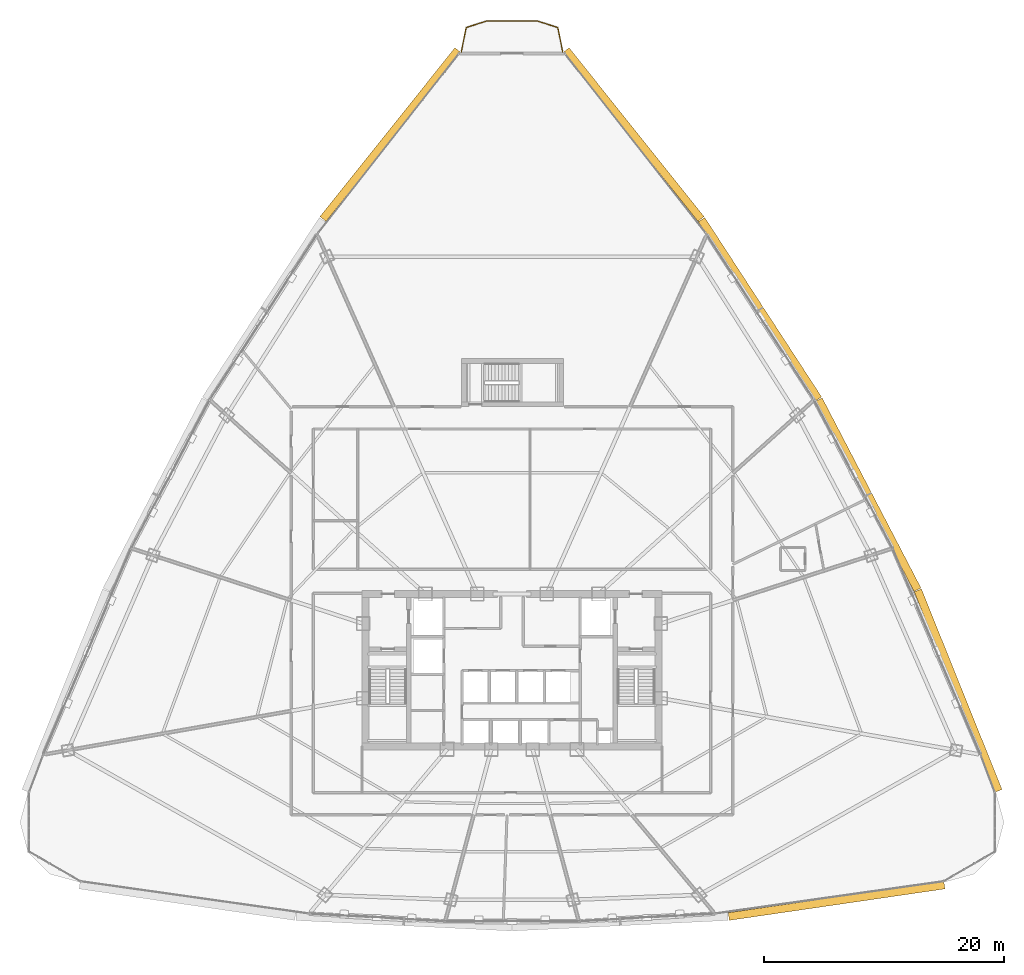
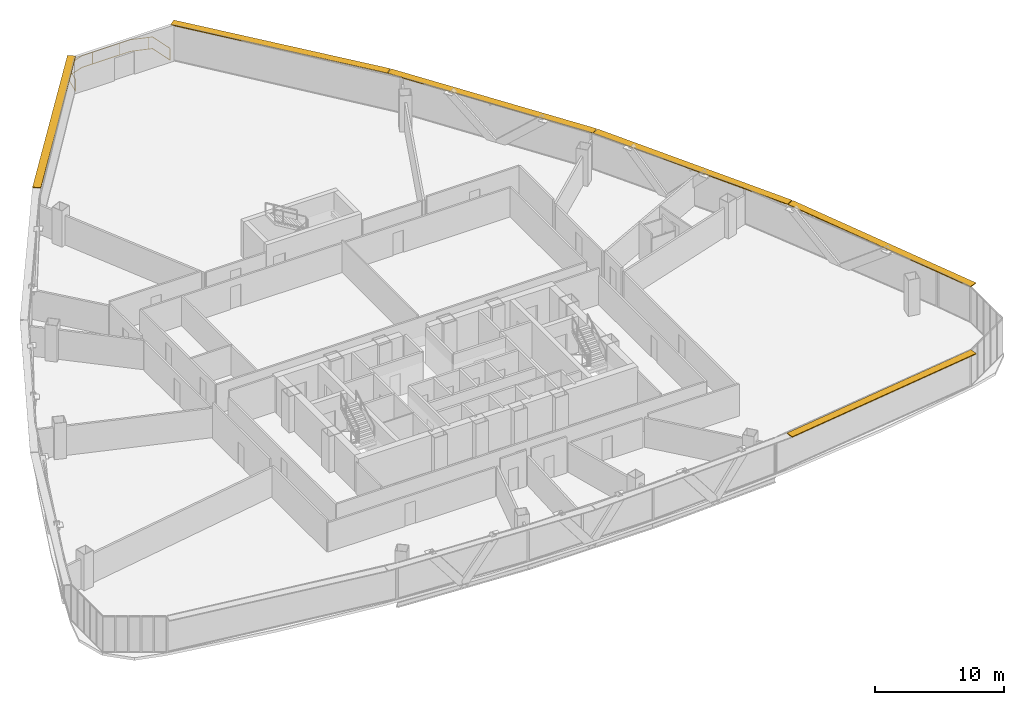
# One storey, part 42 of 42: 6 shading devices, 1 railing.
"""IFC4 building model written with IfcOpenShell, lengths in metres."""

from ifc_helpers import new_model, si_unit, direction, frame, origin, origin_2d, place, context, subcontext, project, spatial, rectangle, extrude, source, transform, mapped, material, layer, layer_set, type_object, element, save


model = new_model("IFC4")

# Units and contexts
model_context = context("Model", 3, precision=1e-05, world=origin(), true_north=direction((0.0, 1.0)))
body_context = subcontext(model_context, "Body", "Model", "MODEL_VIEW")
ifc_project = project(units=[si_unit("LENGTHUNIT", "METRE"), si_unit("AREAUNIT", "SQUARE_METRE"), si_unit("VOLUMEUNIT", "CUBIC_METRE"), si_unit("PLANEANGLEUNIT", "RADIAN"), si_unit("MASSUNIT", "GRAM", prefix="KILO"), si_unit("THERMODYNAMICTEMPERATUREUNIT", "KELVIN"), si_unit("POWERUNIT", "WATT")], contexts=[model_context])

# Site, building, storey
site_placement = place(None, origin())
site = spatial("IfcSite", under=ifc_project, at=site_placement, CompositionType="ELEMENT")
building_placement = place(site_placement, origin())
building = spatial("IfcBuilding", under=site, at=building_placement, Name="Yunzhuo Pagoda Commons", CompositionType="ELEMENT")
storey_placement = place(building_placement, frame((0.0, 0.0, 137.18994140625)))
storey = spatial("IfcBuildingStorey", under=building, at=storey_placement, Name="L34", CompositionType="ELEMENT", Elevation=137.18994140625)

# Railing
ifc_material = material(Name="Anodized aluminium 6063-T6", Category="aluminium")
railing_type = type_object("IfcRailingType", Name="RL-BAL1 Exterior Terrace & Balcony Balustrade 1150", PredefinedType="BALUSTRADE", material=ifc_material)
railing_placement = place(storey_placement, frame((52.22119140625, 85.37353515625, 0.0)))
element("IfcRailing", 1, at=railing_placement, inside=storey, type_object=railing_type, Name="L34 corner balcony balustrade V3", PredefinedType="BALUSTRADE", context=body_context, shape_type="SweptSolid", body=[
    extrude(rectangle(XDim=0.048095703125, YDim=0.048095703125, at=origin_2d()), frame((0.0, 0.0, 1.1259765625), z_axis=(-0.194200568098, 0.980961843983, 0.0), x_axis=(-0.980961843983, -0.194200568098, 0.0)), (0.0, 0.0, 1.0), 2.059326171875),
    extrude(rectangle(XDim=0.048095703125, YDim=0.048095703125, at=origin_2d()), frame((0.0, 0.0, 0.02392578125), z_axis=(-0.194200568098, 0.980961843983, 0.0), x_axis=(-0.980961843983, -0.194200568098, 0.0)), (0.0, 0.0, 1.0), 2.059326171875),
    extrude(rectangle(XDim=0.048095703125, YDim=0.048095703125, at=origin_2d()), frame((-0.39990234375, 2.02001953125, 1.1259765625), z_axis=(-0.953179725889, 0.302404381836, 0.0), x_axis=(-0.302404381836, -0.953179725889, 0.0)), (0.0, 0.0, 1.0), 1.752685546875),
    extrude(rectangle(XDim=0.048095703125, YDim=0.048095703125, at=origin_2d()), frame((-0.39990234375, 2.02001953125, 0.02392578125), z_axis=(-0.953179725889, 0.302404381836, 0.0), x_axis=(-0.302404381836, -0.953179725889, 0.0)), (0.0, 0.0, 1.0), 1.752685546875),
    extrude(rectangle(XDim=0.048095703125, YDim=0.048095703125, at=origin_2d()), frame((-2.070556640625, 2.550048828125, 1.1259765625), z_axis=(-1.0, 0.0, 0.0), x_axis=(0.0, -1.0, 0.0)), (0.0, 0.0, 1.0), 4.30126953125),
    extrude(rectangle(XDim=0.048095703125, YDim=0.048095703125, at=origin_2d()), frame((-2.070556640625, 2.550048828125, 0.02392578125), z_axis=(-1.0, 0.0, 0.0), x_axis=(0.0, -1.0, 0.0)), (0.0, 0.0, 1.0), 4.30126953125),
    extrude(rectangle(XDim=0.048095703125, YDim=0.048095703125, at=origin_2d()), frame((-6.371826171875, 2.550048828125, 1.1259765625), z_axis=(-0.953179725889, -0.302404381836, 0.0), x_axis=(0.302404381836, -0.953179725889, 0.0)), (0.0, 0.0, 1.0), 1.752685546875),
    extrude(rectangle(XDim=0.048095703125, YDim=0.048095703125, at=origin_2d()), frame((-6.371826171875, 2.550048828125, 0.02392578125), z_axis=(-0.953179725889, -0.302404381836, 0.0), x_axis=(0.302404381836, -0.953179725889, 0.0)), (0.0, 0.0, 1.0), 1.752685546875),
    extrude(rectangle(XDim=0.048095703125, YDim=0.048095703125, at=origin_2d()), frame((-8.04248046875, 2.02001953125, 1.1259765625), z_axis=(-0.194200568098, -0.980961843983, 0.0), x_axis=(0.980961843983, -0.194200568098, 0.0)), (0.0, 0.0, 1.0), 2.059326171875),
    extrude(rectangle(XDim=0.048095703125, YDim=0.048095703125, at=origin_2d()), frame((-8.04248046875, 2.02001953125, 0.02392578125), z_axis=(-0.194200568098, -0.980961843983, 0.0), x_axis=(0.980961843983, -0.194200568098, 0.0)), (0.0, 0.0, 1.0), 2.059326171875),
    extrude(rectangle(XDim=0.0419921875, YDim=0.0419921875, at=origin_2d()), origin(), (0.0, 0.0, 1.0), 1.101806640625),
    extrude(rectangle(XDim=0.0419921875, YDim=0.0419921875, at=origin_2d()), frame((-0.724609375, 2.123046875, 0.0)), (0.0, 0.0, 1.0), 1.101806640625),
    extrude(rectangle(XDim=0.0419921875, YDim=0.0419921875, at=origin_2d()), frame((-3.05859375, 2.550048828125, 0.0)), (0.0, 0.0, 1.0), 1.101806640625),
    extrude(rectangle(XDim=0.0419921875, YDim=0.0419921875, at=origin_2d()), frame((-5.45849609375, 2.550048828125, 0.0)), (0.0, 0.0, 1.0), 1.101806640625),
    extrude(rectangle(XDim=0.0419921875, YDim=0.0419921875, at=origin_2d()), frame((-7.7890625, 2.100341796875, 0.0)), (0.0, 0.0, 1.0), 1.101806640625),
    extrude(rectangle(XDim=0.0419921875, YDim=0.0419921875, at=origin_2d()), frame((-8.4423828125, 0.0, 0.0)), (0.0, 0.0, 1.0), 1.101806640625),
])

# Shading devices
ifc_layer = layer(ifc_material, 0.080078125)
ifc_layer_set = layer_set([ifc_layer], Name="Anodized aluminium 6063-T6")
shading_device_type = type_object("IfcShadingDeviceType", Name="SH-SUN1 Pagoda Horizontal Sunshade Eave 650", PredefinedType="USERDEFINED", material=ifc_layer_set)
shared_shape_1 = source(origin(), body_context, "Body", "SweptSolid", [
    extrude(rectangle(XDim=18.156982421875, YDim=0.64990234375, at=origin_2d()), origin(), (0.0, 0.0, 1.0), 0.080078125),
])
shading_device_placement = place(storey_placement, frame((75.043701171875, 14.6376953125, 3.340087890625), z_axis=(0.0, 0.0, 1.0), x_axis=(0.989510666697, 0.144459823108, 0.0)))
element("IfcShadingDevice", 2, at=shading_device_placement, inside=storey, type_object=shading_device_type, Name="L34 horizontal pagoda sunshade eave F1.4", ObjectType="SUNSHADE", PredefinedType="USERDEFINED", context=body_context, shape_type="MappedRepresentation", body=[
    mapped(shared_shape_1, transform((0.0, 0.0, 0.0), scale=1.0)),
])
shared_shape_2 = source(origin(), body_context, "Body", "SweptSolid", [
    extrude(rectangle(XDim=18.010986328125, YDim=0.64990234375, at=origin_2d()), origin(), (0.0, 0.0, 1.0), 0.080078125),
])
for number, where, z_axis, x_axis, name in (
    (3, (85.169677734375, 32.144775390625, 3.340087890625), (0.0, 0.0, 1.0), (-0.372987782576, 0.927836253899, 0.0), "L34 horizontal pagoda sunshade eave F2.1"),
    (4, (58.125244140625, 78.474365234375, 3.340087890625), (0.0, 0.0, 1.0), (-0.624520471688, 0.781008438138, 0.0), "L34 horizontal pagoda sunshade eave F2.4"),
    (5, (37.874755859375, 78.474365234375, 3.340087890625), (0.0, 0.0, 1.0), (-0.624520471688, -0.781008438138, 0.0), "L34 horizontal pagoda sunshade eave F3.1"),
):
    element("IfcShadingDevice", number, at=place(storey_placement, frame(where, z_axis=z_axis, x_axis=x_axis)), inside=storey, type_object=shading_device_type, Name=name, ObjectType="SUNSHADE", PredefinedType="USERDEFINED", context=body_context, shape_type="MappedRepresentation", body=[
        mapped(shared_shape_2, transform((0.0, 0.0, 0.0), scale=1.0)),
    ])
shared_shape_3 = source(origin(), body_context, "Body", "SweptSolid", [
    extrude(rectangle(XDim=17.840087890625, YDim=0.64990234375, at=origin_2d()), origin(), (0.0, 0.0, 1.0), 0.080078125),
])
for number, where, z_axis, x_axis, name in (
    (6, (77.67041015625, 48.472412109375, 3.340087890625), (0.0, 0.0, 1.0), (-0.461206683033, 0.88729273384, 0.0), "L34 horizontal pagoda sunshade eave F2.2"),
    (7, (68.655517578125, 63.915771484375, 3.340087890625), (0.0, 0.0, 1.0), (-0.545838756973, 0.837890238269, 0.0), "L34 horizontal pagoda sunshade eave F2.3"),
):
    element("IfcShadingDevice", number, at=place(storey_placement, frame(where, z_axis=z_axis, x_axis=x_axis)), inside=storey, type_object=shading_device_type, Name=name, ObjectType="SUNSHADE", PredefinedType="USERDEFINED", context=body_context, shape_type="MappedRepresentation", body=[
        mapped(shared_shape_3, transform((0.0, 0.0, 0.0), scale=1.0)),
    ])

save(model, "model.ifc")
